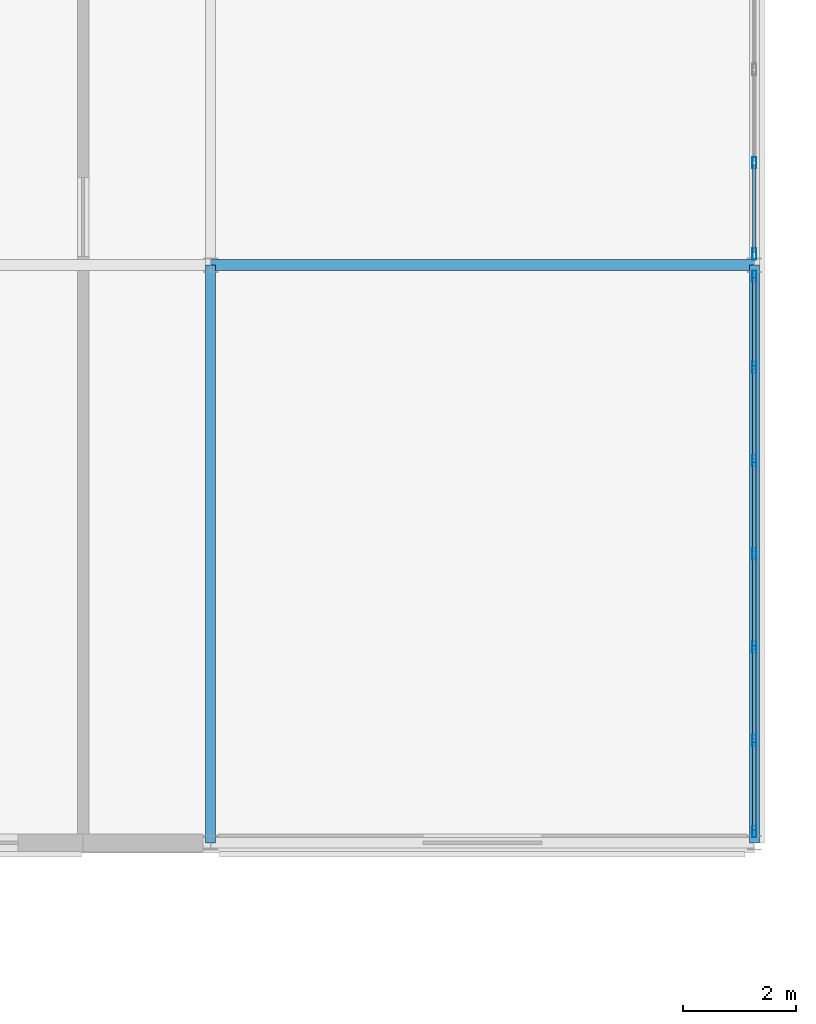
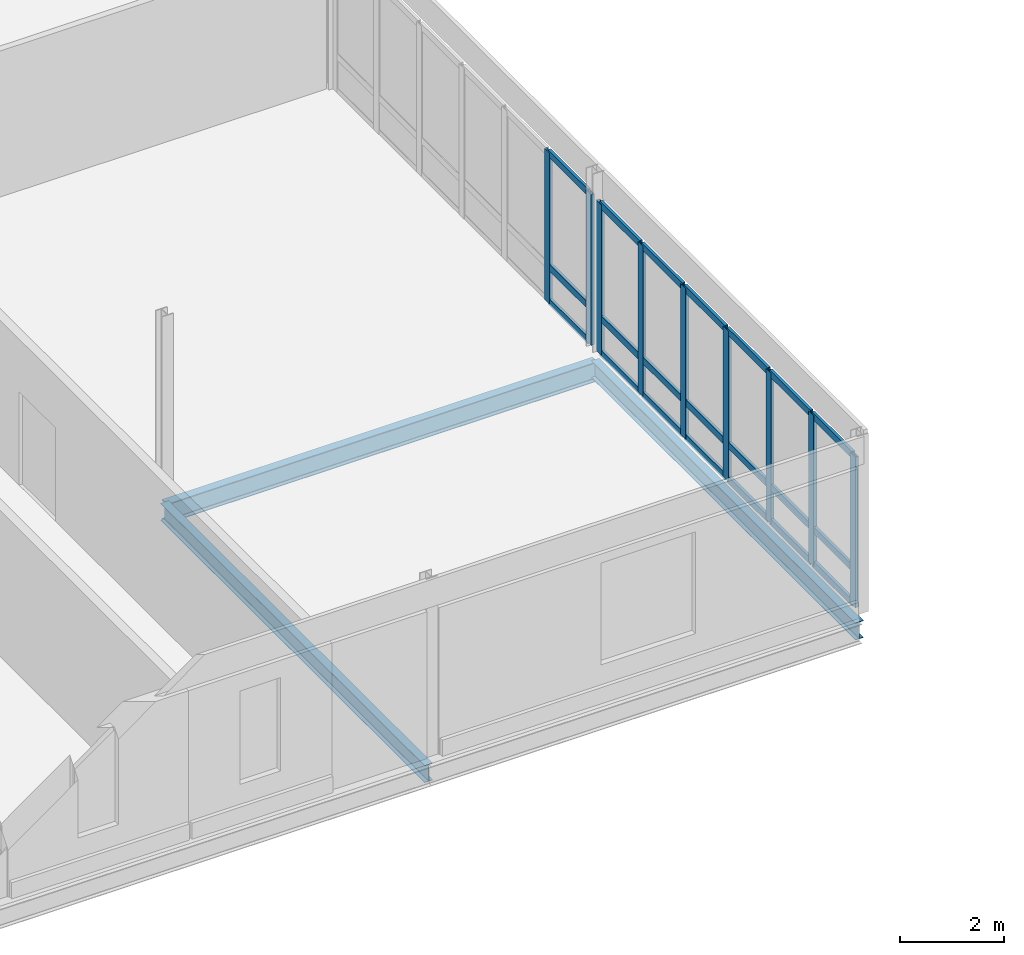
# One storey, part 103 of 170: 30 members, 3 beams, 2 elements without a shape of their own.
"""IFC4 building model written with IfcOpenShell, lengths in metres."""

from ifc_helpers import new_model, si_unit, direction, frame, origin, origin_2d, place, context, subcontext, project, spatial, hollow_rectangle, i_section, extrude, material, material_profile, profile_set, type_object, element, aggregate, save


model = new_model("IFC4")

# Units and contexts
model_context = context("Model", 3, precision=1e-05, world=origin(), true_north=direction((0.0, 1.0)))
body_context = subcontext(model_context, "Body", "Model", "MODEL_VIEW")
ifc_project = project(units=[si_unit("LENGTHUNIT", "METRE"), si_unit("AREAUNIT", "SQUARE_METRE"), si_unit("VOLUMEUNIT", "CUBIC_METRE"), si_unit("PLANEANGLEUNIT", "RADIAN"), si_unit("MASSUNIT", "GRAM", prefix="KILO")], contexts=[model_context])

# Site, building, storey
site_placement = place(None, origin())
site = spatial("IfcSite", under=ifc_project, at=site_placement, CompositionType="ELEMENT")
building_placement = place(site_placement, origin())
building = spatial("IfcBuilding", under=site, at=building_placement, Name="Vondelvale Polytechnic", CompositionType="ELEMENT")
storey_placement = place(building_placement, frame((0.0, 0.0, 5.39990234375)))
storey = spatial("IfcBuildingStorey", under=building, at=storey_placement, Name="L01", CompositionType="ELEMENT", Elevation=5.39990234375)

# Beams
ifc_material_1 = material(Name="Steel 300PLUS (fy = 300 MPa)", Category="steel")
ifc_material_profile_1 = material_profile(ifc_material_1, i_section(OverallWidth=0.177978515625, OverallDepth=0.406005859375, WebThickness=0.0078125, FlangeThickness=0.0126953125, FilletRadius=0.011474609375, at=origin_2d()), Name="410UB59.7")
ifc_profile_set_1 = profile_set([ifc_material_profile_1], Name="Steel 300PLUS (fy = 300 MPa)")
beam_type_1 = type_object("IfcBeamType", Name="BM-UB410", PredefinedType="BEAM", material=ifc_profile_set_1)
for number, where, z_axis, x_axis, name in (
    (1, (163.199951171875, 51.0, -0.48291015625), (0.0, 1.0, 0.0), (-1.0, 0.0, 0.0), "L01 B B-14"),
    (2, (172.800048828125, 51.0, -0.48291015625), (0.0, 1.0, 0.0), (-1.0, 0.0, 0.0), "L01 B B-14"),
):
    element("IfcBeam", number, at=place(storey_placement, frame(where, z_axis=z_axis, x_axis=x_axis)), inside=storey, type_object=beam_type_1, Name=name, PredefinedType="BEAM", context=body_context, shape_type="SweptSolid", body=[
        extrude(i_section(OverallWidth=0.177978515625, OverallDepth=0.406005859375, WebThickness=0.0078125, FlangeThickness=0.0126953125, FilletRadius=0.011474609375, at=origin_2d()), origin(), (0.0, 0.0, 1.0), 10.199951171875),
    ])
ifc_material_profile_2 = material_profile(ifc_material_1, i_section(OverallWidth=0.19091796875, OverallDepth=0.4599609375, WebThickness=0.010009765625, FlangeThickness=0.01611328125, FilletRadius=0.011474609375, at=origin_2d()), Name="460UB82.1")
ifc_profile_set_2 = profile_set([ifc_material_profile_2], Name="Steel 300PLUS (fy = 300 MPa)")
beam_type_2 = type_object("IfcBeamType", Name="BM-UB460H", PredefinedType="BEAM", material=ifc_profile_set_2)
beam_placement = place(storey_placement, frame((163.199951171875, 61.199951171875, -0.510009765625), z_axis=(1.0, 0.0, 0.0), x_axis=(0.0, 1.0, 0.0)))
element("IfcBeam", 3, at=beam_placement, inside=storey, type_object=beam_type_2, Name="L01 B B-12", PredefinedType="BEAM", context=body_context, shape_type="SweptSolid", body=[
    extrude(i_section(OverallWidth=0.19091796875, OverallDepth=0.4599609375, WebThickness=0.010009765625, FlangeThickness=0.01611328125, FilletRadius=0.011474609375, at=origin_2d()), origin(), (0.0, 0.0, 1.0), 9.60009765625),
])

# Curtain wall, members
ifc_material_2 = material(Name="Anodised extruded aluminium 6063-T6", Category="aluminium")
curtain_wall_type = type_object("IfcCurtainWallType", Name="CW-REFECTORY", PredefinedType="NOTDEFINED", material=ifc_material_2)
curtain_wall_1_placement = place(storey_placement, origin())
curtain_wall_1 = element("IfcCurtainWall", 4, at=curtain_wall_1_placement, inside=storey, type_object=curtain_wall_type, Name="L01 architectural curtain wall CW-05-389", PredefinedType="NOTDEFINED")
ifc_material_profile_3 = material_profile(ifc_material_2, hollow_rectangle(XDim=0.070068359375, YDim=0.199951171875, WallThickness=0.00390625, at=origin_2d()), Name="CW-MUL-200x70")
ifc_profile_set_3 = profile_set([ifc_material_profile_3], Name="Anodised extruded aluminium 6063-T6")
member_type_1 = type_object("IfcMemberType", Name="CW-MUL-70x200", PredefinedType="MULLION", material=ifc_profile_set_3)
member_1_placement = place(storey_placement, frame((172.800048828125, 51.195068359375, 0.0), z_axis=(0.0, 0.0, 1.0), x_axis=(-1.0, 0.0, 0.0)))
member_1 = element("IfcMember", 5, at=member_1_placement, type_object=member_type_1, Name="CW-05-389 mullion 1", PredefinedType="MULLION", context=body_context, shape_type="SweptSolid", body=[
    extrude(hollow_rectangle(XDim=0.070068359375, YDim=0.199951171875, WallThickness=0.00390625, at=origin_2d()), origin(), (0.0, 0.0, 1.0), 3.550048828125),
])
member_2_placement = place(storey_placement, frame((172.800048828125, 52.806640625, 0.0), z_axis=(0.0, 0.0, 1.0), x_axis=(-1.0, 0.0, 0.0)))
member_2 = element("IfcMember", 6, at=member_2_placement, type_object=member_type_1, Name="CW-05-389 mullion 2", PredefinedType="MULLION", context=body_context, shape_type="SweptSolid", body=[
    extrude(hollow_rectangle(XDim=0.070068359375, YDim=0.199951171875, WallThickness=0.00390625, at=origin_2d()), origin(), (0.0, 0.0, 1.0), 3.550048828125),
])
member_3_placement = place(storey_placement, frame((172.800048828125, 54.453369140625, 0.0), z_axis=(0.0, 0.0, 1.0), x_axis=(-1.0, 0.0, 0.0)))
member_3 = element("IfcMember", 7, at=member_3_placement, type_object=member_type_1, Name="CW-05-389 mullion 3", PredefinedType="MULLION", context=body_context, shape_type="SweptSolid", body=[
    extrude(hollow_rectangle(XDim=0.070068359375, YDim=0.199951171875, WallThickness=0.00390625, at=origin_2d()), origin(), (0.0, 0.0, 1.0), 3.550048828125),
])
member_4_placement = place(storey_placement, frame((172.800048828125, 56.10009765625, 0.0), z_axis=(0.0, 0.0, 1.0), x_axis=(-1.0, 0.0, 0.0)))
member_4 = element("IfcMember", 8, at=member_4_placement, type_object=member_type_1, Name="CW-05-389 mullion 4", PredefinedType="MULLION", context=body_context, shape_type="SweptSolid", body=[
    extrude(hollow_rectangle(XDim=0.070068359375, YDim=0.199951171875, WallThickness=0.00390625, at=origin_2d()), origin(), (0.0, 0.0, 1.0), 3.550048828125),
])
member_5_placement = place(storey_placement, frame((172.800048828125, 57.74658203125, 0.0), z_axis=(0.0, 0.0, 1.0), x_axis=(-1.0, 0.0, 0.0)))
member_5 = element("IfcMember", 9, at=member_5_placement, type_object=member_type_1, Name="CW-05-389 mullion 5", PredefinedType="MULLION", context=body_context, shape_type="SweptSolid", body=[
    extrude(hollow_rectangle(XDim=0.070068359375, YDim=0.199951171875, WallThickness=0.00390625, at=origin_2d()), origin(), (0.0, 0.0, 1.0), 3.550048828125),
])
member_6_placement = place(storey_placement, frame((172.800048828125, 59.393310546875, 0.0), z_axis=(0.0, 0.0, 1.0), x_axis=(-1.0, 0.0, 0.0)))
member_6 = element("IfcMember", 10, at=member_6_placement, type_object=member_type_1, Name="CW-05-389 mullion 6", PredefinedType="MULLION", context=body_context, shape_type="SweptSolid", body=[
    extrude(hollow_rectangle(XDim=0.070068359375, YDim=0.199951171875, WallThickness=0.00390625, at=origin_2d()), origin(), (0.0, 0.0, 1.0), 3.550048828125),
])
member_7_placement = place(storey_placement, frame((172.800048828125, 61.0048828125, 0.0), z_axis=(0.0, 0.0, 1.0), x_axis=(-1.0, 0.0, 0.0)))
member_7 = element("IfcMember", 11, at=member_7_placement, type_object=member_type_1, Name="CW-05-389 mullion 7", PredefinedType="MULLION", context=body_context, shape_type="SweptSolid", body=[
    extrude(hollow_rectangle(XDim=0.070068359375, YDim=0.199951171875, WallThickness=0.00390625, at=origin_2d()), origin(), (0.0, 0.0, 1.0), 3.550048828125),
])

curtain_wall_2_placement = place(storey_placement, origin())
curtain_wall_2 = element("IfcCurtainWall", 12, at=curtain_wall_2_placement, inside=storey, type_object=curtain_wall_type, Name="L01 architectural curtain wall CW-05-390", PredefinedType="NOTDEFINED")
member_8_placement = place(storey_placement, frame((172.800048828125, 61.39501953125, 0.0), z_axis=(0.0, 0.0, 1.0), x_axis=(-1.0, 0.0, 0.0)))
member_8 = element("IfcMember", 13, at=member_8_placement, type_object=member_type_1, Name="CW-05-390 mullion 1", PredefinedType="MULLION", context=body_context, shape_type="SweptSolid", body=[
    extrude(hollow_rectangle(XDim=0.070068359375, YDim=0.199951171875, WallThickness=0.00390625, at=origin_2d()), origin(), (0.0, 0.0, 1.0), 3.550048828125),
])
member_9_placement = place(storey_placement, frame((172.800048828125, 63.006591796875, 0.0), z_axis=(0.0, 0.0, 1.0), x_axis=(-1.0, 0.0, 0.0)))
member_9 = element("IfcMember", 14, at=member_9_placement, type_object=member_type_1, Name="CW-05-390 mullion 2", PredefinedType="MULLION", context=body_context, shape_type="SweptSolid", body=[
    extrude(hollow_rectangle(XDim=0.070068359375, YDim=0.199951171875, WallThickness=0.00390625, at=origin_2d()), origin(), (0.0, 0.0, 1.0), 3.550048828125),
])

# Member
ifc_material_profile_4 = material_profile(ifc_material_2, hollow_rectangle(XDim=0.06494140625, YDim=0.159912109375, WallThickness=0.00341796875, at=origin_2d()), Name="CW-TRN-160x65")
ifc_profile_set_4 = profile_set([ifc_material_profile_4], Name="Anodised extruded aluminium 6063-T6")
member_type_2 = type_object("IfcMemberType", Name="CW-TRN-70x160", PredefinedType="USERDEFINED", material=ifc_profile_set_4)
member_10_placement = place(storey_placement, frame((172.800048828125, 51.22998046875, 0.03271484375), z_axis=(0.0, 1.0, 0.0), x_axis=(-1.0, 0.0, 0.0)))
member_10 = element("IfcMember", 15, at=member_10_placement, type_object=member_type_2, Name="CW-05-389 transom 1.1", ObjectType="TRANSOM", PredefinedType="USERDEFINED", context=body_context, shape_type="SweptSolid", body=[
    extrude(hollow_rectangle(XDim=0.06494140625, YDim=0.159912109375, WallThickness=0.00341796875, at=origin_2d()), origin(), (0.0, 0.0, 1.0), 1.541748046875),
])

member_11_placement = place(storey_placement, frame((172.800048828125, 51.22998046875, 0.85009765625), z_axis=(0.0, 1.0, 0.0), x_axis=(-1.0, 0.0, 0.0)))
member_11 = element("IfcMember", 16, at=member_11_placement, type_object=member_type_2, Name="CW-05-389 transom 1.2", ObjectType="TRANSOM", PredefinedType="USERDEFINED", context=body_context, shape_type="SweptSolid", body=[
    extrude(hollow_rectangle(XDim=0.06494140625, YDim=0.159912109375, WallThickness=0.00341796875, at=origin_2d()), origin(), (0.0, 0.0, 1.0), 1.541748046875),
])

member_12_placement = place(storey_placement, frame((172.800048828125, 51.22998046875, 3.517578125), z_axis=(0.0, 1.0, 0.0), x_axis=(-1.0, 0.0, 0.0)))
member_12 = element("IfcMember", 17, at=member_12_placement, type_object=member_type_2, Name="CW-05-389 transom 1.3", ObjectType="TRANSOM", PredefinedType="USERDEFINED", context=body_context, shape_type="SweptSolid", body=[
    extrude(hollow_rectangle(XDim=0.06494140625, YDim=0.159912109375, WallThickness=0.00341796875, at=origin_2d()), origin(), (0.0, 0.0, 1.0), 1.541748046875),
])

member_13_placement = place(storey_placement, frame((172.800048828125, 52.841552734375, 0.03271484375), z_axis=(0.0, 1.0, 0.0), x_axis=(-1.0, 0.0, 0.0)))
member_13 = element("IfcMember", 18, at=member_13_placement, type_object=member_type_2, Name="CW-05-389 transom 2.1", ObjectType="TRANSOM", PredefinedType="USERDEFINED", context=body_context, shape_type="SweptSolid", body=[
    extrude(hollow_rectangle(XDim=0.06494140625, YDim=0.159912109375, WallThickness=0.00341796875, at=origin_2d()), origin(), (0.0, 0.0, 1.0), 1.57666015625),
])

member_14_placement = place(storey_placement, frame((172.800048828125, 52.841552734375, 0.85009765625), z_axis=(0.0, 1.0, 0.0), x_axis=(-1.0, 0.0, 0.0)))
member_14 = element("IfcMember", 19, at=member_14_placement, type_object=member_type_2, Name="CW-05-389 transom 2.2", ObjectType="TRANSOM", PredefinedType="USERDEFINED", context=body_context, shape_type="SweptSolid", body=[
    extrude(hollow_rectangle(XDim=0.06494140625, YDim=0.159912109375, WallThickness=0.00341796875, at=origin_2d()), origin(), (0.0, 0.0, 1.0), 1.57666015625),
])

member_15_placement = place(storey_placement, frame((172.800048828125, 52.841552734375, 3.517578125), z_axis=(0.0, 1.0, 0.0), x_axis=(-1.0, 0.0, 0.0)))
member_15 = element("IfcMember", 20, at=member_15_placement, type_object=member_type_2, Name="CW-05-389 transom 2.3", ObjectType="TRANSOM", PredefinedType="USERDEFINED", context=body_context, shape_type="SweptSolid", body=[
    extrude(hollow_rectangle(XDim=0.06494140625, YDim=0.159912109375, WallThickness=0.00341796875, at=origin_2d()), origin(), (0.0, 0.0, 1.0), 1.57666015625),
])

member_16_placement = place(storey_placement, frame((172.800048828125, 54.48828125, 0.03271484375), z_axis=(0.0, 1.0, 0.0), x_axis=(-1.0, 0.0, 0.0)))
member_16 = element("IfcMember", 21, at=member_16_placement, type_object=member_type_2, Name="CW-05-389 transom 3.1", ObjectType="TRANSOM", PredefinedType="USERDEFINED", context=body_context, shape_type="SweptSolid", body=[
    extrude(hollow_rectangle(XDim=0.06494140625, YDim=0.159912109375, WallThickness=0.00341796875, at=origin_2d()), origin(), (0.0, 0.0, 1.0), 1.57666015625),
])

member_17_placement = place(storey_placement, frame((172.800048828125, 54.48828125, 0.85009765625), z_axis=(0.0, 1.0, 0.0), x_axis=(-1.0, 0.0, 0.0)))
member_17 = element("IfcMember", 22, at=member_17_placement, type_object=member_type_2, Name="CW-05-389 transom 3.2", ObjectType="TRANSOM", PredefinedType="USERDEFINED", context=body_context, shape_type="SweptSolid", body=[
    extrude(hollow_rectangle(XDim=0.06494140625, YDim=0.159912109375, WallThickness=0.00341796875, at=origin_2d()), origin(), (0.0, 0.0, 1.0), 1.57666015625),
])

member_18_placement = place(storey_placement, frame((172.800048828125, 54.48828125, 3.517578125), z_axis=(0.0, 1.0, 0.0), x_axis=(-1.0, 0.0, 0.0)))
member_18 = element("IfcMember", 23, at=member_18_placement, type_object=member_type_2, Name="CW-05-389 transom 3.3", ObjectType="TRANSOM", PredefinedType="USERDEFINED", context=body_context, shape_type="SweptSolid", body=[
    extrude(hollow_rectangle(XDim=0.06494140625, YDim=0.159912109375, WallThickness=0.00341796875, at=origin_2d()), origin(), (0.0, 0.0, 1.0), 1.57666015625),
])

member_19_placement = place(storey_placement, frame((172.800048828125, 56.135009765625, 0.03271484375), z_axis=(0.0, 1.0, 0.0), x_axis=(-1.0, 0.0, 0.0)))
member_19 = element("IfcMember", 24, at=member_19_placement, type_object=member_type_2, Name="CW-05-389 transom 4.1", ObjectType="TRANSOM", PredefinedType="USERDEFINED", context=body_context, shape_type="SweptSolid", body=[
    extrude(hollow_rectangle(XDim=0.06494140625, YDim=0.159912109375, WallThickness=0.00341796875, at=origin_2d()), origin(), (0.0, 0.0, 1.0), 1.57666015625),
])

member_20_placement = place(storey_placement, frame((172.800048828125, 56.135009765625, 0.85009765625), z_axis=(0.0, 1.0, 0.0), x_axis=(-1.0, 0.0, 0.0)))
member_20 = element("IfcMember", 25, at=member_20_placement, type_object=member_type_2, Name="CW-05-389 transom 4.2", ObjectType="TRANSOM", PredefinedType="USERDEFINED", context=body_context, shape_type="SweptSolid", body=[
    extrude(hollow_rectangle(XDim=0.06494140625, YDim=0.159912109375, WallThickness=0.00341796875, at=origin_2d()), origin(), (0.0, 0.0, 1.0), 1.57666015625),
])

member_21_placement = place(storey_placement, frame((172.800048828125, 56.135009765625, 3.517578125), z_axis=(0.0, 1.0, 0.0), x_axis=(-1.0, 0.0, 0.0)))
member_21 = element("IfcMember", 26, at=member_21_placement, type_object=member_type_2, Name="CW-05-389 transom 4.3", ObjectType="TRANSOM", PredefinedType="USERDEFINED", context=body_context, shape_type="SweptSolid", body=[
    extrude(hollow_rectangle(XDim=0.06494140625, YDim=0.159912109375, WallThickness=0.00341796875, at=origin_2d()), origin(), (0.0, 0.0, 1.0), 1.57666015625),
])

member_22_placement = place(storey_placement, frame((172.800048828125, 57.78173828125, 0.03271484375), z_axis=(0.0, 1.0, 0.0), x_axis=(-1.0, 0.0, 0.0)))
member_22 = element("IfcMember", 27, at=member_22_placement, type_object=member_type_2, Name="CW-05-389 transom 5.1", ObjectType="TRANSOM", PredefinedType="USERDEFINED", context=body_context, shape_type="SweptSolid", body=[
    extrude(hollow_rectangle(XDim=0.06494140625, YDim=0.159912109375, WallThickness=0.00341796875, at=origin_2d()), origin(), (0.0, 0.0, 1.0), 1.57666015625),
])

member_23_placement = place(storey_placement, frame((172.800048828125, 57.78173828125, 0.85009765625), z_axis=(0.0, 1.0, 0.0), x_axis=(-1.0, 0.0, 0.0)))
member_23 = element("IfcMember", 28, at=member_23_placement, type_object=member_type_2, Name="CW-05-389 transom 5.2", ObjectType="TRANSOM", PredefinedType="USERDEFINED", context=body_context, shape_type="SweptSolid", body=[
    extrude(hollow_rectangle(XDim=0.06494140625, YDim=0.159912109375, WallThickness=0.00341796875, at=origin_2d()), origin(), (0.0, 0.0, 1.0), 1.57666015625),
])

member_24_placement = place(storey_placement, frame((172.800048828125, 57.78173828125, 3.517578125), z_axis=(0.0, 1.0, 0.0), x_axis=(-1.0, 0.0, 0.0)))
member_24 = element("IfcMember", 29, at=member_24_placement, type_object=member_type_2, Name="CW-05-389 transom 5.3", ObjectType="TRANSOM", PredefinedType="USERDEFINED", context=body_context, shape_type="SweptSolid", body=[
    extrude(hollow_rectangle(XDim=0.06494140625, YDim=0.159912109375, WallThickness=0.00341796875, at=origin_2d()), origin(), (0.0, 0.0, 1.0), 1.57666015625),
])

member_25_placement = place(storey_placement, frame((172.800048828125, 59.42822265625, 0.03271484375), z_axis=(0.0, 1.0, 0.0), x_axis=(-1.0, 0.0, 0.0)))
member_25 = element("IfcMember", 30, at=member_25_placement, type_object=member_type_2, Name="CW-05-389 transom 6.1", ObjectType="TRANSOM", PredefinedType="USERDEFINED", context=body_context, shape_type="SweptSolid", body=[
    extrude(hollow_rectangle(XDim=0.06494140625, YDim=0.159912109375, WallThickness=0.00341796875, at=origin_2d()), origin(), (0.0, 0.0, 1.0), 1.541748046875),
])

member_26_placement = place(storey_placement, frame((172.800048828125, 59.42822265625, 0.85009765625), z_axis=(0.0, 1.0, 0.0), x_axis=(-1.0, 0.0, 0.0)))
member_26 = element("IfcMember", 31, at=member_26_placement, type_object=member_type_2, Name="CW-05-389 transom 6.2", ObjectType="TRANSOM", PredefinedType="USERDEFINED", context=body_context, shape_type="SweptSolid", body=[
    extrude(hollow_rectangle(XDim=0.06494140625, YDim=0.159912109375, WallThickness=0.00341796875, at=origin_2d()), origin(), (0.0, 0.0, 1.0), 1.541748046875),
])

member_27_placement = place(storey_placement, frame((172.800048828125, 59.42822265625, 3.517578125), z_axis=(0.0, 1.0, 0.0), x_axis=(-1.0, 0.0, 0.0)))
member_27 = element("IfcMember", 32, at=member_27_placement, type_object=member_type_2, Name="CW-05-389 transom 6.3", ObjectType="TRANSOM", PredefinedType="USERDEFINED", context=body_context, shape_type="SweptSolid", body=[
    extrude(hollow_rectangle(XDim=0.06494140625, YDim=0.159912109375, WallThickness=0.00341796875, at=origin_2d()), origin(), (0.0, 0.0, 1.0), 1.541748046875),
])

aggregate(curtain_wall_1, [member_1, member_2, member_3, member_4, member_5, member_6, member_7, member_10, member_11, member_12, member_13, member_14, member_15, member_16, member_17, member_18, member_19, member_20, member_21, member_22, member_23, member_24, member_25, member_26, member_27])

member_28_placement = place(storey_placement, frame((172.800048828125, 61.429931640625, 0.03271484375), z_axis=(0.0, 1.0, 0.0), x_axis=(-1.0, 0.0, 0.0)))
member_28 = element("IfcMember", 33, at=member_28_placement, type_object=member_type_2, Name="CW-05-390 transom 1.1", ObjectType="TRANSOM", PredefinedType="USERDEFINED", context=body_context, shape_type="SweptSolid", body=[
    extrude(hollow_rectangle(XDim=0.06494140625, YDim=0.159912109375, WallThickness=0.00341796875, at=origin_2d()), origin(), (0.0, 0.0, 1.0), 1.541748046875),
])

member_29_placement = place(storey_placement, frame((172.800048828125, 61.429931640625, 0.85009765625), z_axis=(0.0, 1.0, 0.0), x_axis=(-1.0, 0.0, 0.0)))
member_29 = element("IfcMember", 34, at=member_29_placement, type_object=member_type_2, Name="CW-05-390 transom 1.2", ObjectType="TRANSOM", PredefinedType="USERDEFINED", context=body_context, shape_type="SweptSolid", body=[
    extrude(hollow_rectangle(XDim=0.06494140625, YDim=0.159912109375, WallThickness=0.00341796875, at=origin_2d()), origin(), (0.0, 0.0, 1.0), 1.541748046875),
])

member_30_placement = place(storey_placement, frame((172.800048828125, 61.429931640625, 3.517578125), z_axis=(0.0, 1.0, 0.0), x_axis=(-1.0, 0.0, 0.0)))
member_30 = element("IfcMember", 35, at=member_30_placement, type_object=member_type_2, Name="CW-05-390 transom 1.3", ObjectType="TRANSOM", PredefinedType="USERDEFINED", context=body_context, shape_type="SweptSolid", body=[
    extrude(hollow_rectangle(XDim=0.06494140625, YDim=0.159912109375, WallThickness=0.00341796875, at=origin_2d()), origin(), (0.0, 0.0, 1.0), 1.541748046875),
])

aggregate(curtain_wall_2, [member_8, member_9, member_28, member_29, member_30])

save(model, "model.ifc")
